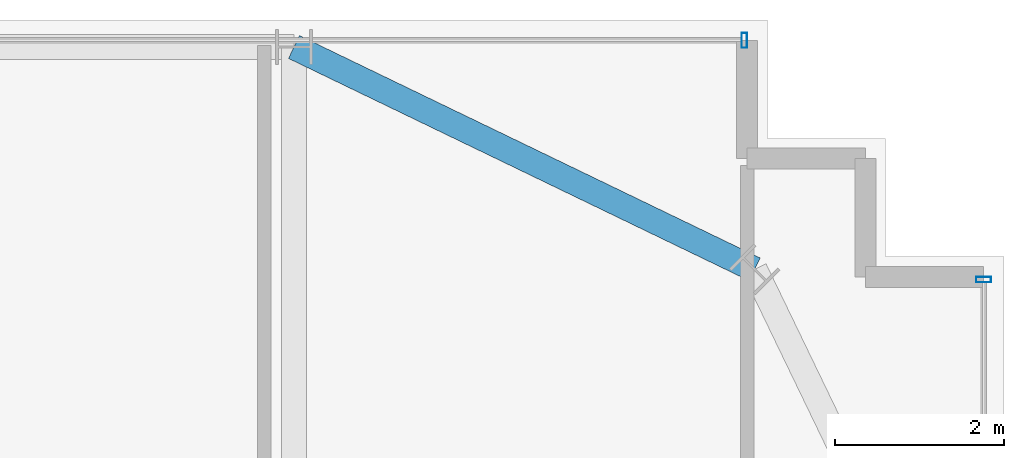
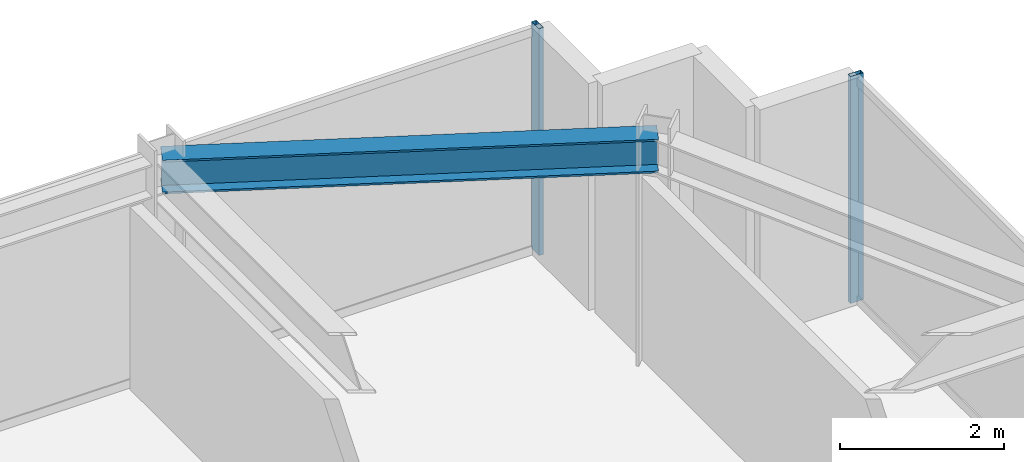
# One storey, part 29 of 37: 2 members, 1 beam, 2 elements without a shape of their own.
"""IFC4 building model written with IfcOpenShell, lengths in metres."""

from ifc_helpers import new_model, si_unit, direction, frame, origin, origin_2d, place, context, subcontext, project, spatial, hollow_rectangle, i_section, extrude, source, transform, mapped, material, material_profile, profile_set, type_object, element, aggregate, save


model = new_model("IFC4")

# Units and contexts
model_context = context("Model", 3, precision=1e-05, world=origin(), true_north=direction((0.0, 1.0)))
body_context = subcontext(model_context, "Body", "Model", "MODEL_VIEW")
ifc_project = project(units=[si_unit("LENGTHUNIT", "METRE"), si_unit("AREAUNIT", "SQUARE_METRE"), si_unit("VOLUMEUNIT", "CUBIC_METRE"), si_unit("PLANEANGLEUNIT", "RADIAN"), si_unit("MASSUNIT", "GRAM", prefix="KILO")], contexts=[model_context])

# Site, building, storey
site_placement = place(None, origin())
site = spatial("IfcSite", under=ifc_project, at=site_placement, CompositionType="ELEMENT")
building_placement = place(site_placement, origin())
building = spatial("IfcBuilding", under=site, at=building_placement, Name="Nahalor Promenade Grand Hotel", CompositionType="ELEMENT")
storey_placement = place(building_placement, frame((0.0, 0.0, 36.050048828125)))
storey = spatial("IfcBuildingStorey", under=building, at=storey_placement, Name="L07", CompositionType="ELEMENT", Elevation=36.050048828125)

# Beam
ifc_material_1 = material(Name="Steel S355JR", Category="steel")
ifc_material_profile_1 = material_profile(ifc_material_1, i_section(OverallWidth=0.3, OverallDepth=0.5, WebThickness=0.0145, FlangeThickness=0.028, at=origin_2d()), Name="HEB 500")
ifc_profile_set_1 = profile_set([ifc_material_profile_1], Name="Steel S355JR")
beam_type = type_object("IfcBeamType", Name="Beam-Spandrel-HEB500", PredefinedType="SPANDREL", material=ifc_profile_set_1)
shared_shape_1 = source(origin(), body_context, "Body", "SweptSolid", [
    extrude(i_section(OverallWidth=0.3, OverallDepth=0.5, WebThickness=0.0145, FlangeThickness=0.028, at=origin_2d()), origin(), (0.0, 0.0, 1.0), 6.051513671875),
])
beam_placement = place(storey_placement, frame((17.0, 25.080078125, 3.119873046875), z_axis=(0.900608818852, -0.434630596492, 0.0), x_axis=(0.434630596492, 0.900608818852, 0.0)))
element("IfcBeam", 1, at=beam_placement, inside=storey, type_object=beam_type, Name="BM-L07-SPC-NE-1", PredefinedType="SPANDREL", context=body_context, shape_type="MappedRepresentation", body=[
    mapped(shared_shape_1, transform((0.0, 0.0, 0.0), scale=1.0)),
])

# Curtain wall, member
ifc_material_2 = material(Name="Anodised Bronze Aluminium EN AW-6063 T6", Category="aluminium")
curtain_wall_type = type_object("IfcCurtainWallType", Name="CW2 Typical Hotel Flush Bronze Unitised Curtain Wall", PredefinedType="USERDEFINED", material=ifc_material_2)
curtain_wall_1_placement = place(storey_placement, origin())
curtain_wall_1 = element("IfcCurtainWall", 2, at=curtain_wall_1_placement, inside=storey, type_object=curtain_wall_type, Name="L07 Curtain Wall CW-L07-N-1", ObjectType="UNITISED_CURTAIN_WALL", PredefinedType="USERDEFINED")
ifc_material_profile_2 = material_profile(ifc_material_2, hollow_rectangle(XDim=0.065, YDim=0.18, WallThickness=0.004, at=origin_2d()), Name="CWM 65x180x4")
ifc_profile_set_2 = profile_set([ifc_material_profile_2], Name="Anodised Bronze Aluminium EN AW-6063 T6")
member_type = type_object("IfcMemberType", Name="CWM2 Typical Bronze Mullion 65x180", PredefinedType="MULLION", material=ifc_profile_set_2)
shared_shape_2 = source(origin(), body_context, "Body", "SweptSolid", [
    extrude(hollow_rectangle(XDim=0.065, YDim=0.18, WallThickness=0.004, at=origin_2d()), origin(), (0.0, 0.0, 1.0), 3.369873046875),
])
member_1_placement = place(storey_placement, frame((22.327392578125, 25.159912109375, 0.0), z_axis=(0.0, 0.0, 1.0), x_axis=(1.0, 0.0, 0.0)))
member_1 = element("IfcMember", 3, at=member_1_placement, type_object=member_type, Name="CW-L07-N-1 Mullion 4", PredefinedType="MULLION", context=body_context, shape_type="MappedRepresentation", body=[
    mapped(shared_shape_2, transform((0.0, 0.0, 0.0), scale=1.0)),
])
aggregate(curtain_wall_1, [member_1])

curtain_wall_2_placement = place(storey_placement, origin())
curtain_wall_2 = element("IfcCurtainWall", 4, at=curtain_wall_2_placement, inside=storey, type_object=curtain_wall_type, Name="L07 Curtain Wall CW-L07-E-1", ObjectType="UNITISED_CURTAIN_WALL", PredefinedType="USERDEFINED")
member_2_placement = place(storey_placement, frame((25.159912109375, 22.327392578125, 0.0), z_axis=(0.0, 0.0, 1.0), x_axis=(0.0, 1.0, 0.0)))
member_2 = element("IfcMember", 5, at=member_2_placement, type_object=member_type, Name="CW-L07-E-1 Mullion 4", PredefinedType="MULLION", context=body_context, shape_type="MappedRepresentation", body=[
    mapped(shared_shape_2, transform((0.0, 0.0, 0.0), scale=1.0)),
])
aggregate(curtain_wall_2, [member_2])

save(model, "model.ifc")
